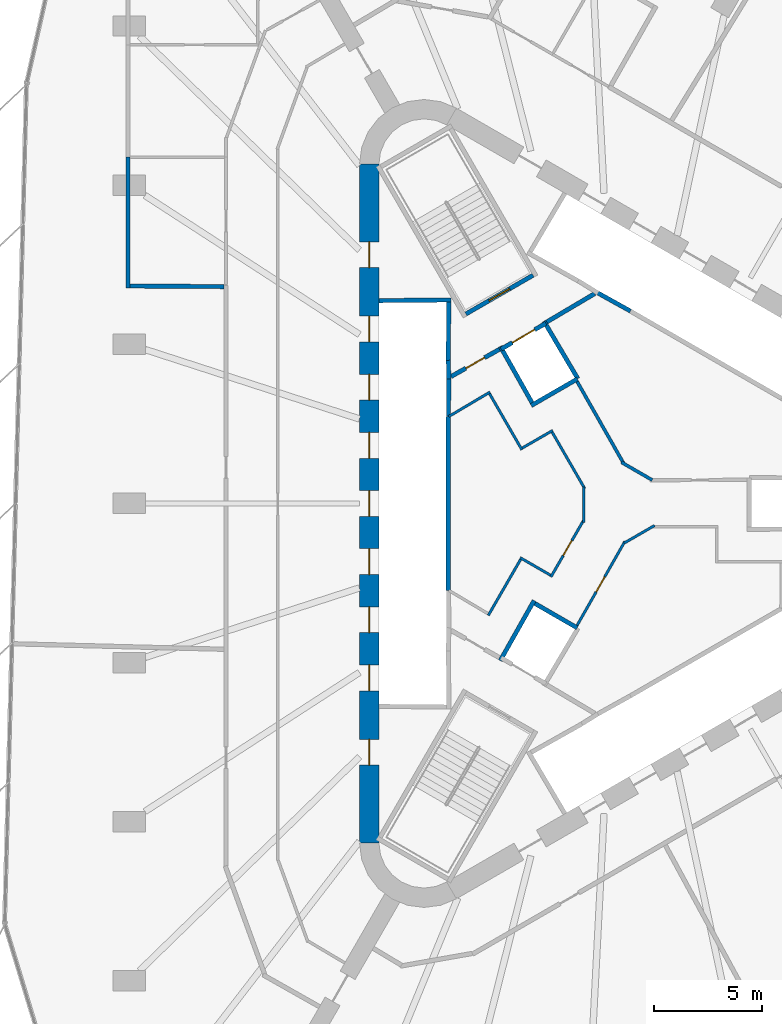
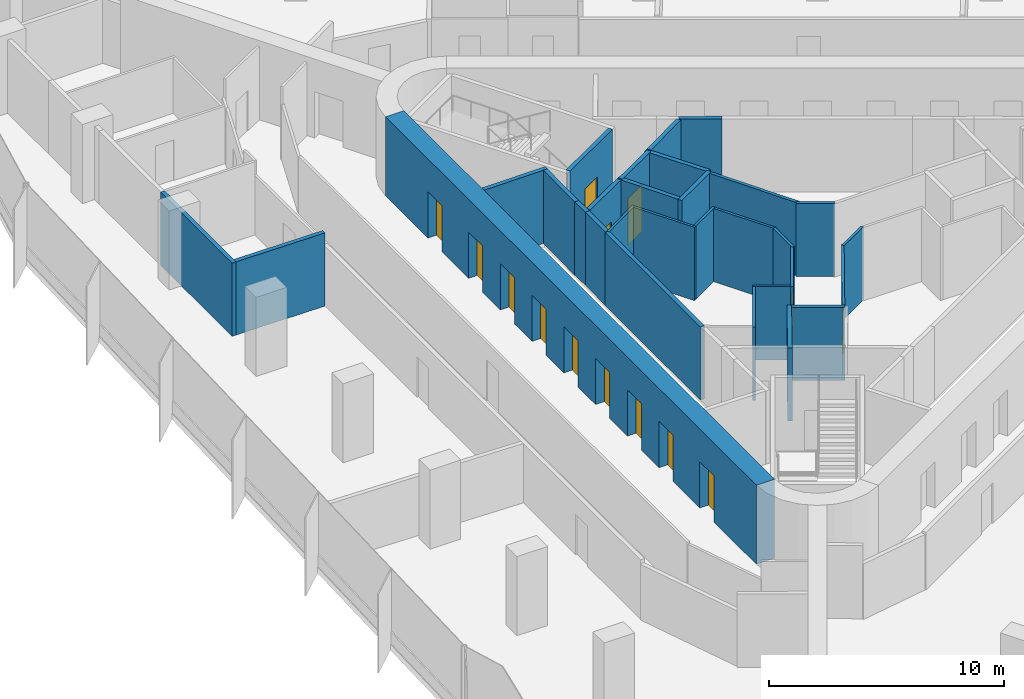
# One storey, part 10 of 14: 30 walls, 14 doors, 14 openings.
"""IFC4 building model written with IfcOpenShell, lengths in metres."""

from ifc_helpers import new_model, si_unit, direction, frame, frame_2d, origin, place, context, subcontext, project, spatial, rectangle, extrude, material, layer, layer_set, type_object, element, fill, save


model = new_model("IFC4")

# Units and contexts
model_context = context("Model", 3, precision=1e-05, world=origin(), true_north=direction((0.0, 1.0)))
body_context = subcontext(model_context, "Body", "Model", "MODEL_VIEW")
ifc_project = project(units=[si_unit("LENGTHUNIT", "METRE"), si_unit("AREAUNIT", "SQUARE_METRE"), si_unit("VOLUMEUNIT", "CUBIC_METRE"), si_unit("PLANEANGLEUNIT", "RADIAN"), si_unit("MASSUNIT", "GRAM", prefix="KILO")], contexts=[model_context])

# Site, building, storey
site_placement = place(None, origin())
site = spatial("IfcSite", under=ifc_project, at=site_placement, CompositionType="ELEMENT")
building_placement = place(site_placement, origin())
building = spatial("IfcBuilding", under=site, at=building_placement, Name="Tanit Gate Tower", CompositionType="ELEMENT")
storey_placement = place(building_placement, frame((0.0, 0.0, 127.5)))
storey = spatial("IfcBuildingStorey", under=building, at=storey_placement, Name="L27", CompositionType="ELEMENT", Elevation=127.5)

# Wall, openings, doors
ifc_material_1 = material(Name="Concrete C60/75", Category="concrete")
ifc_layer_1 = layer(ifc_material_1, 0.89990234375)
ifc_layer_set_1 = layer_set([ifc_layer_1], Name="CORE WALL 900 C60/75")
wall_type_1 = type_object("IfcWallType", Name="CORE WALL 900 C60/75", PredefinedType="SHEAR", material=ifc_layer_set_1)
wall_1_placement = place(storey_placement, frame((-11.64990234375, 15.76171875, 0.0), z_axis=(0.0, 0.0, 1.0), x_axis=(0.0, -1.0, 0.0)))
wall_1 = element("IfcWall", 1, at=wall_1_placement, inside=storey, type_object=wall_type_1, Name="CORE WALL", PredefinedType="SHEAR", context=body_context, shape_type="SweptSolid", body=[
    extrude(rectangle(XDim=31.5234375, YDim=0.89990234375, at=frame_2d((15.76171875, 0.0))), origin(), (0.0, 0.0, 1.0), 4.10009765625),
])
opening_1_placement = place(wall_1_placement, frame((7.061767578125, 0.0, 0.0)))
opening_1 = element("IfcOpeningElement", 2, at=opening_1_placement, cuts=wall_1, Name="Opening LDLL1-S06", PredefinedType="OPENING", context=body_context, shape_type="SweptSolid", body=[
    extrude(rectangle(XDim=1.199951171875, YDim=2.39990234375, at=frame_2d((0.60009765625, 1.199951171875))), frame((0.0, 0.4599609375, 0.0), z_axis=(0.0, -1.0, 0.0), x_axis=(1.0, 0.0, 0.0)), (0.0, 0.0, 1.0), 0.919921875),
])
opening_2_placement = place(wall_1_placement, frame((9.76171875, 0.0, 0.0)))
opening_2 = element("IfcOpeningElement", 3, at=opening_2_placement, cuts=wall_1, Name="Opening LDLL2-S06", PredefinedType="OPENING", context=body_context, shape_type="SweptSolid", body=[
    extrude(rectangle(XDim=1.199951171875, YDim=2.39990234375, at=frame_2d((0.60009765625, 1.199951171875))), frame((0.0, 0.4599609375, 0.0), z_axis=(0.0, -1.0, 0.0), x_axis=(1.0, 0.0, 0.0)), (0.0, 0.0, 1.0), 0.919921875),
])
opening_3_placement = place(wall_1_placement, frame((12.461669921875, 0.0, 0.0)))
opening_3 = element("IfcOpeningElement", 4, at=opening_3_placement, cuts=wall_1, Name="Opening LDLL3-S06", PredefinedType="OPENING", context=body_context, shape_type="SweptSolid", body=[
    extrude(rectangle(XDim=1.199951171875, YDim=2.39990234375, at=frame_2d((0.60009765625, 1.199951171875))), frame((0.0, 0.4599609375, 0.0), z_axis=(0.0, -1.0, 0.0), x_axis=(1.0, 0.0, 0.0)), (0.0, 0.0, 1.0), 0.919921875),
])
opening_4_placement = place(wall_1_placement, frame((15.16162109375, 0.0, 0.0)))
opening_4 = element("IfcOpeningElement", 5, at=opening_4_placement, cuts=wall_1, Name="Opening LDLL4-S06", PredefinedType="OPENING", context=body_context, shape_type="SweptSolid", body=[
    extrude(rectangle(XDim=1.199951171875, YDim=2.39990234375, at=frame_2d((0.60009765625, 1.199951171875))), frame((0.0, 0.4599609375, 0.0), z_axis=(0.0, -1.0, 0.0), x_axis=(1.0, 0.0, 0.0)), (0.0, 0.0, 1.0), 0.919921875),
])
opening_5_placement = place(wall_1_placement, frame((17.86181640625, 0.0, 0.0)))
opening_5 = element("IfcOpeningElement", 6, at=opening_5_placement, cuts=wall_1, Name="Opening LDLL5-S06", PredefinedType="OPENING", context=body_context, shape_type="SweptSolid", body=[
    extrude(rectangle(XDim=1.199951171875, YDim=2.39990234375, at=frame_2d((0.60009765625, 1.199951171875))), frame((0.0, 0.4599609375, 0.0), z_axis=(0.0, -1.0, 0.0), x_axis=(1.0, 0.0, 0.0)), (0.0, 0.0, 1.0), 0.919921875),
])
opening_6_placement = place(wall_1_placement, frame((20.561767578125, 0.0, 0.0)))
opening_6 = element("IfcOpeningElement", 7, at=opening_6_placement, cuts=wall_1, Name="Opening LDLL6-S06", PredefinedType="OPENING", context=body_context, shape_type="SweptSolid", body=[
    extrude(rectangle(XDim=1.199951171875, YDim=2.39990234375, at=frame_2d((0.60009765625, 1.199951171875))), frame((0.0, 0.4599609375, 0.0), z_axis=(0.0, -1.0, 0.0), x_axis=(1.0, 0.0, 0.0)), (0.0, 0.0, 1.0), 0.919921875),
])
opening_7_placement = place(wall_1_placement, frame((23.26171875, 0.0, 0.0)))
opening_7 = element("IfcOpeningElement", 8, at=opening_7_placement, cuts=wall_1, Name="Opening LDLL7-S06", PredefinedType="OPENING", context=body_context, shape_type="SweptSolid", body=[
    extrude(rectangle(XDim=1.199951171875, YDim=2.39990234375, at=frame_2d((0.60009765625, 1.199951171875))), frame((0.0, 0.4599609375, 0.0), z_axis=(0.0, -1.0, 0.0), x_axis=(1.0, 0.0, 0.0)), (0.0, 0.0, 1.0), 0.919921875),
])
opening_8_placement = place(wall_1_placement, frame((3.61181640625, 0.0, 0.0)))
opening_8 = element("IfcOpeningElement", 9, at=opening_8_placement, cuts=wall_1, Name="Opening F12-S06-FL2", PredefinedType="OPENING", context=body_context, shape_type="SweptSolid", body=[
    extrude(rectangle(XDim=1.199951171875, YDim=2.39990234375, at=frame_2d((0.60009765625, 1.199951171875))), frame((0.0, 0.4599609375, 0.0), z_axis=(0.0, -1.0, 0.0), x_axis=(1.0, 0.0, 0.0)), (0.0, 0.0, 1.0), 0.919921875),
])
opening_9_placement = place(wall_1_placement, frame((26.711669921875, 0.0, 0.0)))
opening_9 = element("IfcOpeningElement", 10, at=opening_9_placement, cuts=wall_1, Name="Opening F12-S06-S3", PredefinedType="OPENING", context=body_context, shape_type="SweptSolid", body=[
    extrude(rectangle(XDim=1.199951171875, YDim=2.39990234375, at=frame_2d((0.60009765625, 1.199951171875))), frame((0.0, 0.4599609375, 0.0), z_axis=(0.0, -1.0, 0.0), x_axis=(1.0, 0.0, 0.0)), (0.0, 0.0, 1.0), 0.919921875),
])
ifc_material_2 = material(Name="Fire-rated steel door leaf", Category="steel")
door_type_1 = type_object("IfcDoorType", Name="INT-DOOR-FIRE-LOBBY-1200", OperationType="NOTDEFINED", PredefinedType="USERDEFINED", material=ifc_material_2)
door_1_placement = place(opening_8_placement, origin())
door_1 = element("IfcDoor", 11, at=door_1_placement, inside=storey, type_object=door_type_1, Name="Door F12-S06-FL2", ObjectType="FIRE DOOR", OperationType="SINGLE_SWING_LEFT", OverallHeight=2.39990234375, OverallWidth=1.199951171875, PredefinedType="USERDEFINED", context=body_context, shape_type="SweptSolid", body=[
    extrude(rectangle(XDim=1.199951171875, YDim=2.39990234375, at=frame_2d((0.60009765625, 1.199951171875))), frame((0.0, 0.02490234375, 0.0), z_axis=(0.0, -1.0, 0.0), x_axis=(1.0, 0.0, 0.0)), (0.0, 0.0, 1.0), 0.050048828125),
])
fill(opening_8, door_1)
door_2_placement = place(opening_9_placement, origin())
door_2 = element("IfcDoor", 12, at=door_2_placement, inside=storey, type_object=door_type_1, Name="Door F12-S06-S3", ObjectType="FIRE DOOR", OperationType="SINGLE_SWING_LEFT", OverallHeight=2.39990234375, OverallWidth=1.199951171875, PredefinedType="USERDEFINED", context=body_context, shape_type="SweptSolid", body=[
    extrude(rectangle(XDim=1.199951171875, YDim=2.39990234375, at=frame_2d((0.60009765625, 1.199951171875))), frame((0.0, 0.02490234375, 0.0), z_axis=(0.0, -1.0, 0.0), x_axis=(1.0, 0.0, 0.0)), (0.0, 0.0, 1.0), 0.050048828125),
])
fill(opening_9, door_2)
ifc_material_3 = material(Name="Stainless steel sliding door leaf", Category="steel")
door_type_2 = type_object("IfcDoorType", Name="INT-DOOR-LANDING-1200", OperationType="NOTDEFINED", PredefinedType="USERDEFINED", material=ifc_material_3)
door_3_placement = place(opening_1_placement, origin())
door_3 = element("IfcDoor", 13, at=door_3_placement, inside=storey, type_object=door_type_2, Name="Door LDLL1-S06", ObjectType="LANDING DOOR", OperationType="SLIDING_TO_LEFT", OverallHeight=2.39990234375, OverallWidth=1.199951171875, PredefinedType="USERDEFINED", context=body_context, shape_type="SweptSolid", body=[
    extrude(rectangle(XDim=1.199951171875, YDim=2.39990234375, at=frame_2d((0.60009765625, 1.199951171875))), frame((0.0, 0.02490234375, 0.0), z_axis=(0.0, -1.0, 0.0), x_axis=(1.0, 0.0, 0.0)), (0.0, 0.0, 1.0), 0.050048828125),
])
fill(opening_1, door_3)
door_4_placement = place(opening_2_placement, origin())
door_4 = element("IfcDoor", 14, at=door_4_placement, inside=storey, type_object=door_type_2, Name="Door LDLL2-S06", ObjectType="LANDING DOOR", OperationType="SLIDING_TO_LEFT", OverallHeight=2.39990234375, OverallWidth=1.199951171875, PredefinedType="USERDEFINED", context=body_context, shape_type="SweptSolid", body=[
    extrude(rectangle(XDim=1.199951171875, YDim=2.39990234375, at=frame_2d((0.60009765625, 1.199951171875))), frame((0.0, 0.02490234375, 0.0), z_axis=(0.0, -1.0, 0.0), x_axis=(1.0, 0.0, 0.0)), (0.0, 0.0, 1.0), 0.050048828125),
])
fill(opening_2, door_4)
door_5_placement = place(opening_3_placement, origin())
door_5 = element("IfcDoor", 15, at=door_5_placement, inside=storey, type_object=door_type_2, Name="Door LDLL3-S06", ObjectType="LANDING DOOR", OperationType="SLIDING_TO_LEFT", OverallHeight=2.39990234375, OverallWidth=1.199951171875, PredefinedType="USERDEFINED", context=body_context, shape_type="SweptSolid", body=[
    extrude(rectangle(XDim=1.199951171875, YDim=2.39990234375, at=frame_2d((0.60009765625, 1.199951171875))), frame((0.0, 0.02490234375, 0.0), z_axis=(0.0, -1.0, 0.0), x_axis=(1.0, 0.0, 0.0)), (0.0, 0.0, 1.0), 0.050048828125),
])
fill(opening_3, door_5)
door_6_placement = place(opening_4_placement, origin())
door_6 = element("IfcDoor", 16, at=door_6_placement, inside=storey, type_object=door_type_2, Name="Door LDLL4-S06", ObjectType="LANDING DOOR", OperationType="SLIDING_TO_LEFT", OverallHeight=2.39990234375, OverallWidth=1.199951171875, PredefinedType="USERDEFINED", context=body_context, shape_type="SweptSolid", body=[
    extrude(rectangle(XDim=1.199951171875, YDim=2.39990234375, at=frame_2d((0.60009765625, 1.199951171875))), frame((0.0, 0.02490234375, 0.0), z_axis=(0.0, -1.0, 0.0), x_axis=(1.0, 0.0, 0.0)), (0.0, 0.0, 1.0), 0.050048828125),
])
fill(opening_4, door_6)
door_7_placement = place(opening_5_placement, origin())
door_7 = element("IfcDoor", 17, at=door_7_placement, inside=storey, type_object=door_type_2, Name="Door LDLL5-S06", ObjectType="LANDING DOOR", OperationType="SLIDING_TO_LEFT", OverallHeight=2.39990234375, OverallWidth=1.199951171875, PredefinedType="USERDEFINED", context=body_context, shape_type="SweptSolid", body=[
    extrude(rectangle(XDim=1.199951171875, YDim=2.39990234375, at=frame_2d((0.60009765625, 1.199951171875))), frame((0.0, 0.02490234375, 0.0), z_axis=(0.0, -1.0, 0.0), x_axis=(1.0, 0.0, 0.0)), (0.0, 0.0, 1.0), 0.050048828125),
])
fill(opening_5, door_7)
door_8_placement = place(opening_6_placement, origin())
door_8 = element("IfcDoor", 18, at=door_8_placement, inside=storey, type_object=door_type_2, Name="Door LDLL6-S06", ObjectType="LANDING DOOR", OperationType="SLIDING_TO_LEFT", OverallHeight=2.39990234375, OverallWidth=1.199951171875, PredefinedType="USERDEFINED", context=body_context, shape_type="SweptSolid", body=[
    extrude(rectangle(XDim=1.199951171875, YDim=2.39990234375, at=frame_2d((0.60009765625, 1.199951171875))), frame((0.0, 0.02490234375, 0.0), z_axis=(0.0, -1.0, 0.0), x_axis=(1.0, 0.0, 0.0)), (0.0, 0.0, 1.0), 0.050048828125),
])
fill(opening_6, door_8)
door_9_placement = place(opening_7_placement, origin())
door_9 = element("IfcDoor", 19, at=door_9_placement, inside=storey, type_object=door_type_2, Name="Door LDLL7-S06", ObjectType="LANDING DOOR", OperationType="SLIDING_TO_LEFT", OverallHeight=2.39990234375, OverallWidth=1.199951171875, PredefinedType="USERDEFINED", context=body_context, shape_type="SweptSolid", body=[
    extrude(rectangle(XDim=1.199951171875, YDim=2.39990234375, at=frame_2d((0.60009765625, 1.199951171875))), frame((0.0, 0.02490234375, 0.0), z_axis=(0.0, -1.0, 0.0), x_axis=(1.0, 0.0, 0.0)), (0.0, 0.0, 1.0), 0.050048828125),
])
fill(opening_7, door_9)

# Wall
ifc_material_4 = material(Name="Fire-rated gypsum board partition")
ifc_layer_2 = layer(ifc_material_4, 0.199951171875)
ifc_layer_set_2 = layer_set([ifc_layer_2], Name="INT-WALL-COMPARTMENT")
wall_type_2 = type_object("IfcWallType", Name="INT-WALL-COMPARTMENT", PredefinedType="PARTITIONING", material=ifc_layer_set_2)
wall_2_placement = place(storey_placement, frame((-1.1796875, 9.744384765625, 0.0), z_axis=(0.0, 0.0, 1.0), x_axis=(-0.860615607571, -0.509255118781, 0.0)))
element("IfcWall", 20, at=wall_2_placement, inside=storey, type_object=wall_type_2, Name="Wall Compartment W061", PredefinedType="PARTITIONING", context=body_context, shape_type="SweptSolid", body=[
    extrude(rectangle(XDim=2.58056640625, YDim=0.199951171875, at=frame_2d((1.290283203125, 0.0))), origin(), (0.0, 0.0, 1.0), 3.800048828125),
])

# Wall, opening, door
wall_3_placement = place(storey_placement, frame((-5.600341796875, 7.16015625, 0.0), z_axis=(0.0, 0.0, 1.0), x_axis=(-0.871363259478, -0.490638431059, 0.0)))
wall_3 = element("IfcWall", 21, at=wall_3_placement, inside=storey, type_object=wall_type_2, Name="Wall Compartment W062", PredefinedType="PARTITIONING", context=body_context, shape_type="SweptSolid", body=[
    extrude(rectangle(XDim=2.5810546875, YDim=0.199951171875, at=frame_2d((1.29052734375, 0.0))), origin(), (0.0, 0.0, 1.0), 3.800048828125),
])
opening_10_placement = place(wall_3_placement, frame((0.79052734375, 0.0, 0.0)))
opening_10 = element("IfcOpeningElement", 22, at=opening_10_placement, cuts=wall_3, Name="Opening F10-S06-05", PredefinedType="OPENING", context=body_context, shape_type="SweptSolid", body=[
    extrude(rectangle(XDim=1.0, YDim=2.10009765625, at=frame_2d((0.5, 1.050048828125))), frame((0.0, 0.10986328125, 0.0), z_axis=(0.0, -1.0, 0.0), x_axis=(1.0, 0.0, 0.0)), (0.0, 0.0, 1.0), 0.219970703125),
])
ifc_material_5 = material(Name="Fire-rated steel door leaf", Category="steel")
door_type_3 = type_object("IfcDoorType", Name="INT-DOOR-FIRE-1000", OperationType="NOTDEFINED", PredefinedType="USERDEFINED", material=ifc_material_5)
door_10_placement = place(opening_10_placement, origin())
door_10 = element("IfcDoor", 23, at=door_10_placement, inside=storey, type_object=door_type_3, Name="Door F10-S06-05", ObjectType="FIRE DOOR", OperationType="SINGLE_SWING_LEFT", OverallHeight=2.10009765625, OverallWidth=1.0, PredefinedType="USERDEFINED", context=body_context, shape_type="SweptSolid", body=[
    extrude(rectangle(XDim=1.0, YDim=2.10009765625, at=frame_2d((0.5, 1.050048828125))), frame((0.0, 0.02490234375, 0.0), z_axis=(0.0, -1.0, 0.0), x_axis=(1.0, 0.0, 0.0)), (0.0, 0.0, 1.0), 0.050048828125),
])
fill(opening_10, door_10)

# Walls
wall_4_placement = place(storey_placement, frame((-22.85009765625, 10.0, 0.0), z_axis=(0.0, 0.0, 1.0), x_axis=(0.0, 1.0, 0.0)))
element("IfcWall", 24, at=wall_4_placement, inside=storey, type_object=wall_type_2, Name="Wall Compartment W118", PredefinedType="PARTITIONING", context=body_context, shape_type="SweptSolid", body=[
    extrude(rectangle(XDim=6.083740234375, YDim=0.199951171875, at=frame_2d((3.0419921875, 0.0))), origin(), (0.0, 0.0, 1.0), 3.800048828125),
])
wall_5_placement = place(storey_placement, frame((-22.75, 10.099365234375, 0.0), z_axis=(0.0, 0.0, 1.0), x_axis=(0.999978071859, -0.006622371337, 0.0)))
element("IfcWall", 25, at=wall_5_placement, inside=storey, type_object=wall_type_2, Name="Wall Compartment W119", PredefinedType="PARTITIONING", context=body_context, shape_type="SweptSolid", body=[
    extrude(rectangle(XDim=4.35009765625, YDim=0.199951171875, at=frame_2d((2.175048828125, 0.0))), origin(), (0.0, 0.0, 1.0), 3.800048828125),
])

# Wall, opening, door
ifc_material_6 = material(Name="Gypsum board partition")
ifc_layer_3 = layer(ifc_material_6, 0.1201171875)
ifc_layer_set_3 = layer_set([ifc_layer_3], Name="INT-WALL-PARTITION")
wall_type_3 = type_object("IfcWallType", Name="INT-WALL-PARTITION", PredefinedType="PARTITIONING", material=ifc_layer_set_3)
wall_6_placement = place(storey_placement, frame((0.223876953125, -1.760986328125, 0.0), z_axis=(0.0, 0.0, 1.0), x_axis=(-0.494327216836, -0.869275907118, 0.0)))
wall_6 = element("IfcWall", 26, at=wall_6_placement, inside=storey, type_object=wall_type_3, Name="Wall Partition W068", PredefinedType="PARTITIONING", context=body_context, shape_type="SweptSolid", body=[
    extrude(rectangle(XDim=4.487060546875, YDim=0.1201171875, at=frame_2d((2.24365234375, 0.0))), origin(), (0.0, 0.0, 1.0), 3.800048828125),
])
opening_11_placement = place(wall_6_placement, frame((1.89453125, 0.0, 0.0)))
opening_11 = element("IfcOpeningElement", 27, at=opening_11_placement, cuts=wall_6, Name="Opening R08-S06-11", PredefinedType="OPENING", context=body_context, shape_type="SweptSolid", body=[
    extrude(rectangle(XDim=0.800048828125, YDim=2.10009765625, at=frame_2d((0.39990234375, 1.050048828125))), frame((0.0, 0.070068359375, 0.0), z_axis=(0.0, -1.0, 0.0), x_axis=(1.0, 0.0, 0.0)), (0.0, 0.0, 1.0), 0.14013671875),
])
ifc_material_7 = material(Name="Timber door leaf", Category="wood")
door_type_4 = type_object("IfcDoorType", Name="INT-DOOR-RISER-800", OperationType="NOTDEFINED", PredefinedType="USERDEFINED", material=ifc_material_7)
door_11_placement = place(opening_11_placement, origin())
door_11 = element("IfcDoor", 28, at=door_11_placement, inside=storey, type_object=door_type_4, Name="Door R08-S06-11", ObjectType="FIRE DOOR", OperationType="SINGLE_SWING_LEFT", OverallHeight=2.10009765625, OverallWidth=0.800048828125, PredefinedType="USERDEFINED", context=body_context, shape_type="SweptSolid", body=[
    extrude(rectangle(XDim=0.800048828125, YDim=2.10009765625, at=frame_2d((0.39990234375, 1.050048828125))), frame((0.0, 0.02490234375, 0.0), z_axis=(0.0, -1.0, 0.0), x_axis=(1.0, 0.0, 0.0)), (0.0, 0.0, 1.0), 0.050048828125),
])
fill(opening_11, door_11)

# Walls
wall_7_placement = place(storey_placement, frame((1.60546875, -1.02294921875, 0.0), z_axis=(0.0, 0.0, 1.0), x_axis=(-0.866001581989, -0.50004125829, 0.0)))
element("IfcWall", 29, at=wall_7_placement, inside=storey, type_object=wall_type_3, Name="Wall Partition W069", PredefinedType="PARTITIONING", context=body_context, shape_type="SweptSolid", body=[
    extrude(rectangle(XDim=1.635009765625, YDim=0.1201171875, at=frame_2d((0.8173828125, 0.0))), origin(), (0.0, 0.0, 1.0), 3.800048828125),
])
wall_8_placement = place(storey_placement, frame((-6.03662109375, 5.17578125, 0.0), z_axis=(0.0, 0.0, 1.0), x_axis=(-0.860106072674, -0.510115225953, 0.0)))
element("IfcWall", 30, at=wall_8_placement, inside=storey, type_object=wall_type_3, Name="Wall Partition W074", PredefinedType="PARTITIONING", context=body_context, shape_type="SweptSolid", body=[
    extrude(rectangle(XDim=2.224609375, YDim=0.1201171875, at=frame_2d((1.1123046875, 0.0))), origin(), (0.0, 0.0, 1.0), 3.800048828125),
])
wall_9_placement = place(storey_placement, frame((-4.558349609375, 2.4951171875, 0.0), z_axis=(0.0, 0.0, 1.0), x_axis=(-0.499990139034, 0.866031096941, 0.0)))
element("IfcWall", 31, at=wall_9_placement, inside=storey, type_object=wall_type_3, Name="Wall Partition W075", PredefinedType="PARTITIONING", context=body_context, shape_type="SweptSolid", body=[
    extrude(rectangle(XDim=3.0, YDim=0.1201171875, at=frame_2d((1.5, 0.0))), origin(), (0.0, 0.0, 1.0), 3.800048828125),
])
wall_10_placement = place(storey_placement, frame((-3.12890625, 3.3896484375, 0.0), z_axis=(0.0, 0.0, 1.0), x_axis=(-0.866053003207, -0.499952193351, 0.0)))
element("IfcWall", 32, at=wall_10_placement, inside=storey, type_object=wall_type_3, Name="Wall Partition W076", PredefinedType="PARTITIONING", context=body_context, shape_type="SweptSolid", body=[
    extrude(rectangle(XDim=1.625244140625, YDim=0.1201171875, at=frame_2d((0.8125, 0.0))), origin(), (0.0, 0.0, 1.0), 3.800048828125),
])
wall_11_placement = place(storey_placement, frame((-1.63671875, 0.68505859375, 0.0), z_axis=(0.0, 0.0, 1.0), x_axis=(-0.500006252586, 0.866021793822, 0.0)))
element("IfcWall", 33, at=wall_11_placement, inside=storey, type_object=wall_type_3, Name="Wall Partition W077", PredefinedType="PARTITIONING", context=body_context, shape_type="SweptSolid", body=[
    extrude(rectangle(XDim=3.0283203125, YDim=0.1201171875, at=frame_2d((1.51416015625, 0.0))), origin(), (0.0, 0.0, 1.0), 3.800048828125),
])
wall_12_placement = place(storey_placement, frame((-1.688720703125, -0.87890625, 0.0), z_axis=(0.0, 0.0, 1.0), x_axis=(0.0, 1.0, 0.0)))
element("IfcWall", 34, at=wall_12_placement, inside=storey, type_object=wall_type_3, Name="Wall Partition W078", PredefinedType="PARTITIONING", context=body_context, shape_type="SweptSolid", body=[
    extrude(rectangle(XDim=1.63525390625, YDim=0.1201171875, at=frame_2d((0.817626953125, 0.0))), origin(), (0.0, 0.0, 1.0), 3.800048828125),
])

# Wall, opening, door
wall_13_placement = place(storey_placement, frame((-3.2109375, -3.41162109375, 0.0), z_axis=(0.0, 0.0, 1.0), x_axis=(0.499983190554, 0.866035108505, 0.0)))
wall_13 = element("IfcWall", 35, at=wall_13_placement, inside=storey, type_object=wall_type_3, Name="Wall Partition W079", PredefinedType="PARTITIONING", context=body_context, shape_type="SweptSolid", body=[
    extrude(rectangle(XDim=3.02587890625, YDim=0.1201171875, at=frame_2d((1.512939453125, 0.0))), origin(), (0.0, 0.0, 1.0), 3.800048828125),
])
opening_12_placement = place(wall_13_placement, frame((1.142822265625, 0.0, 0.0)))
opening_12 = element("IfcOpeningElement", 36, at=opening_12_placement, cuts=wall_13, Name="Opening R08-S06-12", PredefinedType="OPENING", context=body_context, shape_type="SweptSolid", body=[
    extrude(rectangle(XDim=0.800048828125, YDim=2.10009765625, at=frame_2d((0.39990234375, 1.050048828125))), frame((0.0, 0.070068359375, 0.0), z_axis=(0.0, -1.0, 0.0), x_axis=(1.0, 0.0, 0.0)), (0.0, 0.0, 1.0), 0.14013671875),
])
door_12_placement = place(opening_12_placement, origin())
door_12 = element("IfcDoor", 37, at=door_12_placement, inside=storey, type_object=door_type_4, Name="Door R08-S06-12", ObjectType="FIRE DOOR", OperationType="SINGLE_SWING_LEFT", OverallHeight=2.10009765625, OverallWidth=0.800048828125, PredefinedType="USERDEFINED", context=body_context, shape_type="SweptSolid", body=[
    extrude(rectangle(XDim=0.800048828125, YDim=2.10009765625, at=frame_2d((0.39990234375, 1.050048828125))), frame((0.0, 0.02490234375, 0.0), z_axis=(0.0, -1.0, 0.0), x_axis=(1.0, 0.0, 0.0)), (0.0, 0.0, 1.0), 0.050048828125),
])
fill(opening_12, door_12)

# Walls
wall_14_placement = place(storey_placement, frame((-4.64013671875, -2.51708984375, 0.0), z_axis=(0.0, 0.0, 1.0), x_axis=(0.866015446554, -0.500017246033, 0.0)))
element("IfcWall", 38, at=wall_14_placement, inside=storey, type_object=wall_type_3, Name="Wall Partition W080", PredefinedType="PARTITIONING", context=body_context, shape_type="SweptSolid", body=[
    extrude(rectangle(XDim=1.625, YDim=0.1201171875, at=frame_2d((0.8125, 0.0))), origin(), (0.0, 0.0, 1.0), 3.800048828125),
])
wall_15_placement = place(storey_placement, frame((-6.1181640625, -5.197265625, 0.0), z_axis=(0.0, 0.0, 1.0), x_axis=(0.499990139034, 0.866031096941, 0.0)))
element("IfcWall", 39, at=wall_15_placement, inside=storey, type_object=wall_type_3, Name="Wall Partition W081", PredefinedType="PARTITIONING", context=body_context, shape_type="SweptSolid", body=[
    extrude(rectangle(XDim=3.0, YDim=0.1201171875, at=frame_2d((1.5, 0.0))), origin(), (0.0, 0.0, 1.0), 3.800048828125),
])
ifc_material_8 = material(Name="Fire-rated gypsum board partition")
ifc_layer_4 = layer(ifc_material_8, 0.14990234375)
ifc_layer_set_4 = layer_set([ifc_layer_4], Name="INT-WALL-RISER")
wall_type_4 = type_object("IfcWallType", Name="INT-WALL-RISER", PredefinedType="PLUMBINGWALL", material=ifc_layer_set_4)
wall_16_placement = place(storey_placement, frame((0.0625, 1.9140625, 0.0), z_axis=(0.0, 0.0, 1.0), x_axis=(0.866018462269, -0.500012022864, 0.0)))
element("IfcWall", 40, at=wall_16_placement, inside=storey, type_object=wall_type_4, Name="Wall Riser W066", PredefinedType="PLUMBINGWALL", context=body_context, shape_type="SweptSolid", body=[
    extrude(rectangle(XDim=1.654296875, YDim=0.14990234375, at=frame_2d((0.8271484375, 0.0))), origin(), (0.0, 0.0, 1.0), 3.800048828125),
])
wall_17_placement = place(storey_placement, frame((-1.994140625, 5.661376953125, 0.0), z_axis=(0.0, 0.0, 1.0), x_axis=(0.494341211302, -0.869267948798, 0.0)))
element("IfcWall", 41, at=wall_17_placement, inside=storey, type_object=wall_type_4, Name="Wall Riser W067", PredefinedType="PLUMBINGWALL", context=body_context, shape_type="SweptSolid", body=[
    extrude(rectangle(XDim=4.36083984375, YDim=0.14990234375, at=frame_2d((2.180419921875, 0.0))), origin(), (0.0, 0.0, 1.0), 3.800048828125),
])
ifc_material_9 = material(Name="Gypsum shaft wall system")
ifc_layer_5 = layer(ifc_material_9, 0.199951171875)
ifc_layer_set_5 = layer_set([ifc_layer_5], Name="INT-WALL-SHAFT")
wall_type_5 = type_object("IfcWallType", Name="INT-WALL-SHAFT", PredefinedType="PLUMBINGWALL", material=ifc_layer_set_5)
wall_18_placement = place(storey_placement, frame((-11.199951171875, 9.419921875, 0.0), z_axis=(0.0, 0.0, 1.0), x_axis=(0.999957167047, 0.009255488683, 0.0)))
element("IfcWall", 42, at=wall_18_placement, inside=storey, type_object=wall_type_5, Name="Wall Shaft W001", PredefinedType="PLUMBINGWALL", context=body_context, shape_type="SweptSolid", body=[
    extrude(rectangle(XDim=3.35009765625, YDim=0.199951171875, at=frame_2d((1.675048828125, 0.0))), origin(), (0.0, 0.0, 1.0), 3.800048828125),
])
wall_19_placement = place(storey_placement, frame((-7.951171875, 9.35009765625, 0.0), z_axis=(0.0, 0.0, 1.0), x_axis=(-0.011120469654, -0.999938165666, 0.0)))
element("IfcWall", 43, at=wall_19_placement, inside=storey, type_object=wall_type_5, Name="Wall Shaft W002", PredefinedType="PLUMBINGWALL", context=body_context, shape_type="SweptSolid", body=[
    extrude(rectangle(XDim=2.700439453125, YDim=0.199951171875, at=frame_2d((1.35009765625, 0.0))), origin(), (0.0, 0.0, 1.0), 3.800048828125),
])
wall_20_placement = place(storey_placement, frame((-7.97705078125, 6.650146484375, 0.0), z_axis=(0.0, 0.0, 1.0), x_axis=(0.030861509705, -0.999523670164, 0.0)))
element("IfcWall", 44, at=wall_20_placement, inside=storey, type_object=wall_type_5, Name="Wall Shaft W004", PredefinedType="PLUMBINGWALL", context=body_context, shape_type="SweptSolid", body=[
    extrude(rectangle(XDim=0.878173828125, YDim=0.199951171875, at=frame_2d((0.43896484375, 0.0))), origin(), (0.0, 0.0, 1.0), 3.800048828125),
])
wall_21_placement = place(storey_placement, frame((-7.94921875, 5.894775390625, 0.0), z_axis=(0.0, 0.0, 1.0), x_axis=(-0.012042535896, -0.999927486035, 0.0)))
element("IfcWall", 45, at=wall_21_placement, inside=storey, type_object=wall_type_5, Name="Wall Shaft W005", PredefinedType="PLUMBINGWALL", context=body_context, shape_type="SweptSolid", body=[
    extrude(rectangle(XDim=1.844970703125, YDim=0.199951171875, at=frame_2d((0.92236328125, 0.0))), origin(), (0.0, 0.0, 1.0), 3.800048828125),
])
wall_22_placement = place(storey_placement, frame((-7.97998046875, 4.050048828125, 0.0), z_axis=(0.0, 0.0, 1.0), x_axis=(0.0, -1.0, 0.0)))
element("IfcWall", 46, at=wall_22_placement, inside=storey, type_object=wall_type_5, Name="Wall Shaft W006", PredefinedType="PLUMBINGWALL", context=body_context, shape_type="SweptSolid", body=[
    extrude(rectangle(XDim=8.10009765625, YDim=0.199951171875, at=frame_2d((4.050048828125, 0.0))), origin(), (0.0, 0.0, 1.0), 3.800048828125),
])
wall_23_placement = place(storey_placement, frame((0.482666015625, 8.935791015625, 0.0), z_axis=(0.0, 0.0, 1.0), x_axis=(-0.874269620932, 0.485440655401, 0.0)))
element("IfcWall", 47, at=wall_23_placement, inside=storey, type_object=wall_type_5, Name="Wall Shaft W020", PredefinedType="PLUMBINGWALL", context=body_context, shape_type="SweptSolid", body=[
    extrude(rectangle(XDim=1.8447265625, YDim=0.199951171875, at=frame_2d((0.92236328125, 0.0))), origin(), (0.0, 0.0, 1.0), 3.800048828125),
])

# Wall, opening, door
wall_24_placement = place(storey_placement, frame((-5.524169921875, 7.168212890625, 0.0), z_axis=(0.0, 0.0, 1.0), x_axis=(0.866024647952, 0.500001309137, 0.0)))
wall_24 = element("IfcWall", 48, at=wall_24_placement, inside=storey, type_object=wall_type_5, Name="Wall Shaft W045", PredefinedType="PLUMBINGWALL", context=body_context, shape_type="SweptSolid", body=[
    extrude(rectangle(XDim=2.39990234375, YDim=0.199951171875, at=frame_2d((1.199951171875, 0.0))), origin(), (0.0, 0.0, 1.0), 3.800048828125),
])
opening_13_placement = place(wall_24_placement, frame((0.60009765625, 0.0, 0.0)))
opening_13 = element("IfcOpeningElement", 49, at=opening_13_placement, cuts=wall_24, Name="Opening LDFL2-L27", PredefinedType="OPENING", context=body_context, shape_type="SweptSolid", body=[
    extrude(rectangle(XDim=1.199951171875, YDim=2.39990234375, at=frame_2d((0.60009765625, 1.199951171875))), frame((0.0, 0.10986328125, 0.0), z_axis=(0.0, -1.0, 0.0), x_axis=(1.0, 0.0, 0.0)), (0.0, 0.0, 1.0), 0.219970703125),
])
door_13_placement = place(opening_13_placement, origin())
door_13 = element("IfcDoor", 50, at=door_13_placement, inside=storey, type_object=door_type_2, Name="Door LDFL2-L27", ObjectType="LANDING DOOR", OperationType="SLIDING_TO_LEFT", OverallHeight=2.39990234375, OverallWidth=1.199951171875, PredefinedType="USERDEFINED", context=body_context, shape_type="SweptSolid", body=[
    extrude(rectangle(XDim=1.199951171875, YDim=2.39990234375, at=frame_2d((0.60009765625, 1.199951171875))), frame((0.0, 0.02490234375, 0.0), z_axis=(0.0, -1.0, 0.0), x_axis=(1.0, 0.0, 0.0)), (0.0, 0.0, 1.0), 0.050048828125),
])
fill(opening_13, door_13)

# Walls
wall_25_placement = place(storey_placement, frame((-3.53759765625, 8.46533203125, 0.0), z_axis=(0.0, 0.0, 1.0), x_axis=(0.508647062354, -0.860975125052, 0.0)))
element("IfcWall", 51, at=wall_25_placement, inside=storey, type_object=wall_type_5, Name="Wall Shaft W046", PredefinedType="PLUMBINGWALL", context=body_context, shape_type="SweptSolid", body=[
    extrude(rectangle(XDim=3.10009765625, YDim=0.199951171875, at=frame_2d((1.550048828125, 0.0))), origin(), (0.0, 0.0, 1.0), 3.800048828125),
])
wall_26_placement = place(storey_placement, frame((-1.978515625, 5.785888671875, 0.0), z_axis=(0.0, 0.0, 1.0), x_axis=(-0.866016689309, -0.500015093611, 0.0)))
element("IfcWall", 52, at=wall_26_placement, inside=storey, type_object=wall_type_5, Name="Wall Shaft W047", PredefinedType="PLUMBINGWALL", context=body_context, shape_type="SweptSolid", body=[
    extrude(rectangle(XDim=2.4794921875, YDim=0.199951171875, at=frame_2d((1.23974609375, 0.0))), origin(), (0.0, 0.0, 1.0), 3.800048828125),
])
wall_27_placement = place(storey_placement, frame((-5.5625, 7.29638671875, 0.0), z_axis=(0.0, 0.0, 1.0), x_axis=(0.49134651263, -0.870964180966, 0.0)))
element("IfcWall", 53, at=wall_27_placement, inside=storey, type_object=wall_type_5, Name="Wall Shaft W048", PredefinedType="PLUMBINGWALL", context=body_context, shape_type="SweptSolid", body=[
    extrude(rectangle(XDim=3.000244140625, YDim=0.199951171875, at=frame_2d((1.5, 0.0))), origin(), (0.0, 0.0, 1.0), 3.800048828125),
])
wall_28_placement = place(storey_placement, frame((-3.989990234375, -4.509033203125, 0.0), z_axis=(0.0, 0.0, 1.0), x_axis=(-0.491358283181, -0.870957540612, 0.0)))
element("IfcWall", 54, at=wall_28_placement, inside=storey, type_object=wall_type_5, Name="Wall Shaft W055", PredefinedType="PLUMBINGWALL", context=body_context, shape_type="SweptSolid", body=[
    extrude(rectangle(XDim=3.200439453125, YDim=0.199951171875, at=frame_2d((1.60009765625, 0.0))), origin(), (0.0, 0.0, 1.0), 3.800048828125),
])
wall_29_placement = place(storey_placement, frame((-3.95263671875, -4.646240234375, 0.0), z_axis=(0.0, 0.0, 1.0), x_axis=(0.866065302921, -0.4999308863, 0.0)))
element("IfcWall", 55, at=wall_29_placement, inside=storey, type_object=wall_type_5, Name="Wall Shaft W056", PredefinedType="PLUMBINGWALL", context=body_context, shape_type="SweptSolid", body=[
    extrude(rectangle(XDim=2.264404296875, YDim=0.199951171875, at=frame_2d((1.13232421875, 0.0))), origin(), (0.0, 0.0, 1.0), 3.800048828125),
])

# Wall, opening, door
ifc_material_10 = material(Name="Concrete C40/50", Category="concrete")
ifc_layer_6 = layer(ifc_material_10, 0.199951171875)
ifc_layer_set_6 = layer_set([ifc_layer_6], Name="INT-WALL-STAIR")
wall_type_6 = type_object("IfcWallType", Name="INT-WALL-STAIR", PredefinedType="SHEAR", material=ifc_layer_set_6)
wall_30_placement = place(storey_placement, frame((-7.158935546875, 8.799560546875, -0.300048828125), z_axis=(0.0, 0.0, 1.0), x_axis=(0.866047807691, 0.499961193289, 0.0)))
wall_30 = element("IfcWall", 56, at=wall_30_placement, inside=storey, type_object=wall_type_6, Name="Wall Stair W044", PredefinedType="SHEAR", context=body_context, shape_type="SweptSolid", body=[
    extrude(rectangle(XDim=3.599853515625, YDim=0.199951171875, at=frame_2d((1.7998046875, 0.0))), origin(), (0.0, 0.0, 1.0), 4.10009765625),
])
opening_14_placement = place(wall_30_placement, frame((1.25, 0.0, 0.300048828125)))
opening_14 = element("IfcOpeningElement", 57, at=opening_14_placement, cuts=wall_30, Name="Opening S11-S06-04", PredefinedType="OPENING", context=body_context, shape_type="SweptSolid", body=[
    extrude(rectangle(XDim=1.10009765625, YDim=2.10009765625, at=frame_2d((0.550048828125, 1.050048828125))), frame((0.0, 0.10986328125, 0.0), z_axis=(0.0, -1.0, 0.0), x_axis=(1.0, 0.0, 0.0)), (0.0, 0.0, 1.0), 0.219970703125),
])
ifc_material_11 = material(Name="Timber door leaf", Category="wood")
door_type_5 = type_object("IfcDoorType", Name="INT-DOOR-STAIR-1100", OperationType="NOTDEFINED", PredefinedType="USERDEFINED", material=ifc_material_11)
door_14_placement = place(opening_14_placement, origin())
door_14 = element("IfcDoor", 58, at=door_14_placement, inside=storey, type_object=door_type_5, Name="Door S11-S06-04", ObjectType="FIRE DOOR", OperationType="SINGLE_SWING_LEFT", OverallHeight=2.10009765625, OverallWidth=1.10009765625, PredefinedType="USERDEFINED", context=body_context, shape_type="SweptSolid", body=[
    extrude(rectangle(XDim=1.10009765625, YDim=2.10009765625, at=frame_2d((0.550048828125, 1.050048828125))), frame((0.0, 0.02490234375, 0.0), z_axis=(0.0, -1.0, 0.0), x_axis=(1.0, 0.0, 0.0)), (0.0, 0.0, 1.0), 0.050048828125),
])
fill(opening_14, door_14)

save(model, "model.ifc")
